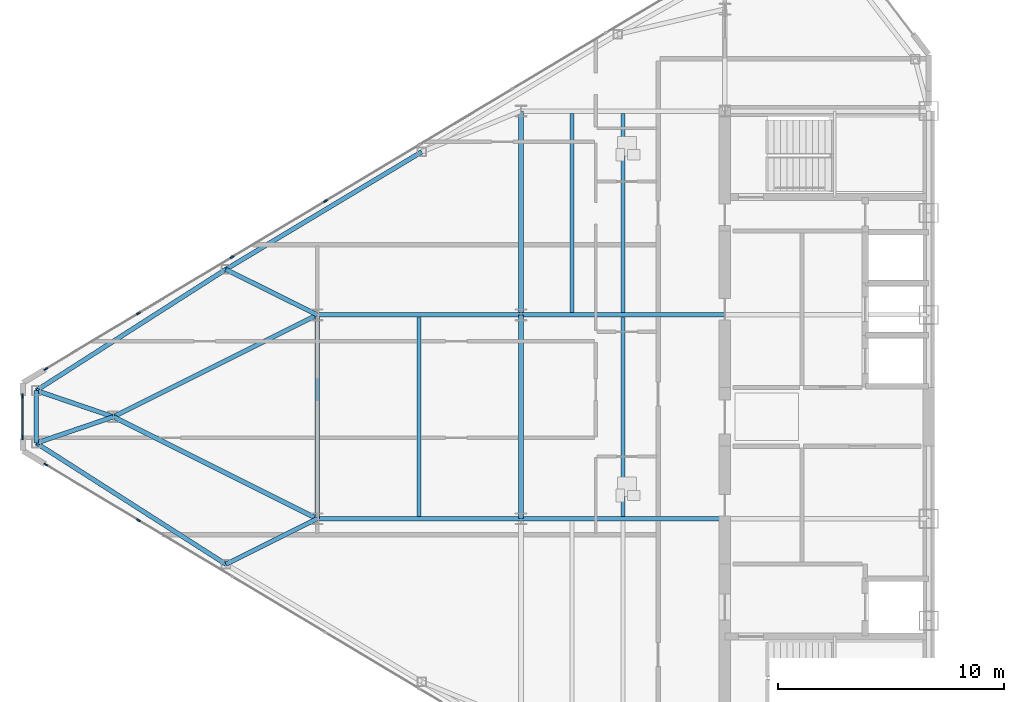
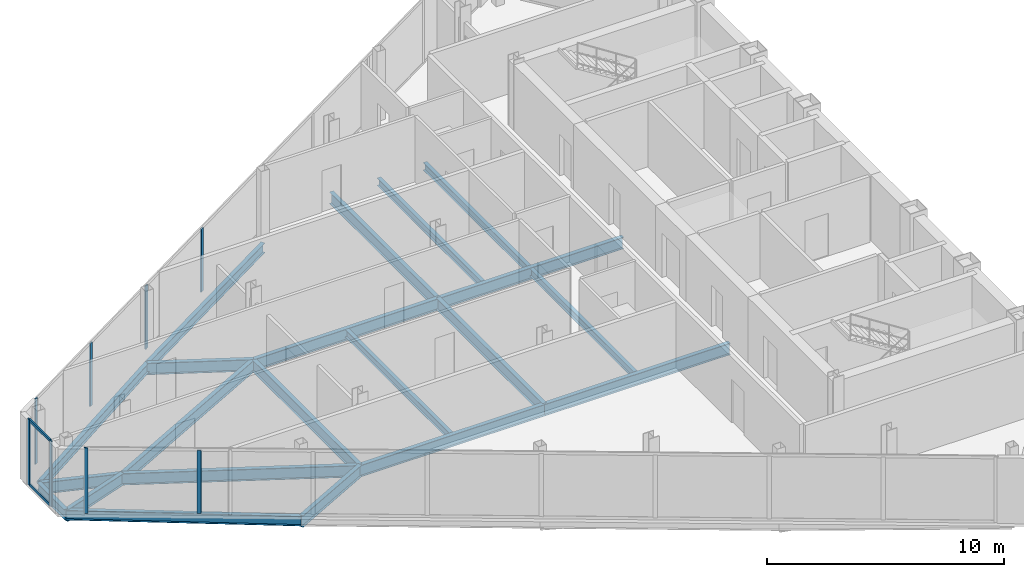
# One storey, part 7 of 25: 21 beams, 10 members, 3 elements without a shape of their own.
"""IFC4 building model written with IfcOpenShell, lengths in metres."""

from ifc_helpers import new_model, si_unit, direction, frame, origin, origin_2d, place, context, subcontext, project, spatial, rectangle, i_section, extrude, source, transform, mapped, material, layer, layer_set, material_profile, profile_set, type_object, type_shapes, element, aggregate, save


model = new_model("IFC4")

# Units and contexts
model_context = context("Model", 3, precision=1e-05, world=origin(), true_north=direction((0.0, 1.0)))
body_context = subcontext(model_context, "Body", "Model", "MODEL_VIEW")
ifc_project = project(units=[si_unit("LENGTHUNIT", "METRE"), si_unit("AREAUNIT", "SQUARE_METRE"), si_unit("VOLUMEUNIT", "CUBIC_METRE"), si_unit("PLANEANGLEUNIT", "RADIAN"), si_unit("MASSUNIT", "GRAM", prefix="KILO")], contexts=[model_context])

# Site, building, storey
site_placement = place(None, origin())
site = spatial("IfcSite", under=ifc_project, at=site_placement, CompositionType="ELEMENT")
building_placement = place(site_placement, origin())
building = spatial("IfcBuilding", under=site, at=building_placement, Name="Seokmaru Belvedere", CompositionType="ELEMENT")
storey_placement = place(building_placement, frame((0.0, 0.0, 217.5)))
storey = spatial("IfcBuildingStorey", under=building, at=storey_placement, Name="L58", CompositionType="ELEMENT", Elevation=217.5)

# Beams
ifc_material_1 = material(Name="Steel SM355 (355 MPa)", Category="steel")
ifc_material_profile_1 = material_profile(ifc_material_1, i_section(OverallWidth=0.199951171875, OverallDepth=0.60009765625, WebThickness=0.010986328125, FlangeThickness=0.01708984375, at=origin_2d()), Name="H-600x200x11x17")
ifc_profile_set_1 = profile_set([ifc_material_profile_1], Name="Steel SM355 (355 MPa)")
beam_type_1 = type_object("IfcBeamType", Name="Primary Floor Girder H-600", PredefinedType="BEAM", material=ifc_profile_set_1)
shared_shape_1 = source(origin(), body_context, "Body", "SweptSolid", [
    extrude(i_section(OverallWidth=0.199951171875, OverallDepth=0.60009765625, WebThickness=0.010986328125, FlangeThickness=0.01708984375, at=origin_2d()), origin(), (0.0, 0.0, 1.0), 9.0),
])
for number, where, z_axis, x_axis, name in (
    (1, (-45.5, -4.5, -0.52001953125), (0.0, 1.0, 0.0), (-1.0, 0.0, 0.0), "L58 W Interior Grid Girder 2"),
    (2, (-45.5, 4.5, -0.52001953125), (0.0, 1.0, 0.0), (-1.0, 0.0, 0.0), "L58 W Interior Grid Girder 3"),
    (3, (-45.5, -4.5, -0.52001953125), (1.0, 0.0, 0.0), (0.0, 1.0, 0.0), "L58 W Wing Primary Girder 2"),
    (4, (-45.5, 4.5, -0.52001953125), (1.0, 0.0, 0.0), (0.0, 1.0, 0.0), "L58 W Wing Primary Girder 3"),
    (5, (-54.5, -4.5, -0.52001953125), (1.0, 0.0, 0.0), (0.0, 1.0, 0.0), "L58 W Outer Wing Girder 1"),
    (6, (-54.5, 4.5, -0.52001953125), (1.0, 0.0, 0.0), (0.0, 1.0, 0.0), "L58 W Outer Wing Girder 2"),
    (7, (-54.5, -4.5, -0.52001953125), (0.0, 1.0, 0.0), (-1.0, 0.0, 0.0), "L58 W Apex Frame Girder"),
):
    element("IfcBeam", number, at=place(storey_placement, frame(where, z_axis=z_axis, x_axis=x_axis)), inside=storey, type_object=beam_type_1, Name=name, PredefinedType="BEAM", context=body_context, shape_type="MappedRepresentation", body=[
        mapped(shared_shape_1, transform((0.0, 0.0, 0.0), scale=1.0)),
    ])
shared_shape_2 = source(origin(), body_context, "Body", "SweptSolid", [
    extrude(i_section(OverallWidth=0.199951171875, OverallDepth=0.60009765625, WebThickness=0.010986328125, FlangeThickness=0.01708984375, at=origin_2d()), origin(), (0.0, 0.0, 1.0), 10.062255859375),
])
for number, where, z_axis, x_axis, name in (
    (8, (-54.5, -4.5, -0.52001953125), (-0.894427191, 0.4472135955, 0.0), (-0.4472135955, -0.894427191, 0.0), "L58 W Apex Converging Girder 1"),
    (9, (-54.5, 4.5, -0.52001953125), (-0.894427191, -0.4472135955, 0.0), (0.4472135955, -0.894427191, 0.0), "L58 W Apex Converging Girder 2"),
):
    element("IfcBeam", number, at=place(storey_placement, frame(where, z_axis=z_axis, x_axis=x_axis)), inside=storey, type_object=beam_type_1, Name=name, PredefinedType="BEAM", context=body_context, shape_type="MappedRepresentation", body=[
        mapped(shared_shape_2, transform((0.0, 0.0, 0.0), scale=1.0)),
    ])
ifc_material_profile_2 = material_profile(ifc_material_1, i_section(OverallWidth=0.18505859375, OverallDepth=0.389892578125, WebThickness=0.008056640625, FlangeThickness=0.011962890625, at=origin_2d()), Name="H-390x185x8x12")
ifc_profile_set_2 = profile_set([ifc_material_profile_2], Name="Steel SM355 (355 MPa)")
beam_type_2 = type_object("IfcBeamType", Name="Secondary Floor Joist H-350", PredefinedType="JOIST", material=ifc_profile_set_2)
shared_shape_3 = source(origin(), body_context, "Body", "SweptSolid", [
    extrude(i_section(OverallWidth=0.18505859375, OverallDepth=0.389892578125, WebThickness=0.008056640625, FlangeThickness=0.011962890625, at=origin_2d()), origin(), (0.0, 0.0, 1.0), 8.7900390625),
])
type_shapes(beam_type_2, [shared_shape_3])
for number, where, z_axis, x_axis, name in (
    (10, (-43.25, 4.60498046875, -0.4150390625), (0.0, 1.0, 0.0), (-1.0, 0.0, 0.0), "L58 W Wing Inner Secondary Joist 2"),
    (11, (-41.0, -4.39501953125, -0.4150390625), (0.0, 1.0, 0.0), (-1.0, 0.0, 0.0), "L58 W Secondary Floor Joist 2"),
    (12, (-41.0, 4.60498046875, -0.4150390625), (0.0, 1.0, 0.0), (-1.0, 0.0, 0.0), "L58 W Secondary Floor Joist 3"),
    (13, (-50.0, -4.39501953125, -0.4150390625), (0.0, 1.0, 0.0), (-1.0, 0.0, 0.0), "L58 W Outer Bay Secondary Joist"),
):
    element("IfcBeam", number, at=place(storey_placement, frame(where, z_axis=z_axis, x_axis=x_axis)), inside=storey, type_object=beam_type_2, Name=name, PredefinedType="JOIST", context=body_context, shape_type="MappedRepresentation", body=[
        mapped(shared_shape_3, transform((0.0, 0.0, 0.0), scale=1.0)),
    ])
ifc_material_profile_3 = material_profile(ifc_material_1, i_section(OverallWidth=0.199951171875, OverallDepth=0.5, WebThickness=0.010009765625, FlangeThickness=0.01611328125, at=origin_2d()), Name="H-500x200x10x16")
ifc_profile_set_3 = profile_set([ifc_material_profile_3], Name="Steel SM355 (355 MPa)")
beam_type_3 = type_object("IfcBeamType", Name="Perimeter Spandrel Beam H-500", PredefinedType="SPANDREL", material=ifc_profile_set_3)
shared_shape_4 = source(origin(), body_context, "Body", "SweptSolid", [
    extrude(i_section(OverallWidth=0.199951171875, OverallDepth=0.5, WebThickness=0.010009765625, FlangeThickness=0.01611328125, at=origin_2d()), origin(), (0.0, 0.0, 1.0), 10.087646484375),
])
beam_1_placement = place(storey_placement, frame((-49.8798828125, 11.698974609375, -0.469970703125), z_axis=(-0.857488654804, -0.514502873542, 0.0), x_axis=(0.514502873542, -0.857488654804, 0.0)))
element("IfcBeam", 14, at=beam_1_placement, inside=storey, type_object=beam_type_3, Name="L58 W Faceted Flank Spandrel N-3", PredefinedType="SPANDREL", context=body_context, shape_type="MappedRepresentation", body=[
    mapped(shared_shape_4, transform((0.0, 0.0, 0.0), scale=1.0)),
])
shared_shape_5 = source(origin(), body_context, "Body", "SweptSolid", [
    extrude(i_section(OverallWidth=0.199951171875, OverallDepth=0.5, WebThickness=0.010009765625, FlangeThickness=0.01611328125, at=origin_2d()), origin(), (0.0, 0.0, 1.0), 9.932861328125),
])
for number, where, z_axis, x_axis, name in (
    (15, (-58.530029296875, -6.5087890625, -0.469970703125), (-0.842651960357, 0.538458609093, 0.0), (-0.538458609093, -0.842651960357, 0.0), "L58 W Faceted Flank Spandrel S-4"),
    (16, (-58.530029296875, 6.5087890625, -0.469970703125), (-0.842651960357, -0.538458609093, 0.0), (0.538458609093, -0.842651960357, 0.0), "L58 W Faceted Flank Spandrel N-4"),
):
    element("IfcBeam", number, at=place(storey_placement, frame(where, z_axis=z_axis, x_axis=x_axis)), inside=storey, type_object=beam_type_3, Name=name, PredefinedType="SPANDREL", context=body_context, shape_type="MappedRepresentation", body=[
        mapped(shared_shape_5, transform((0.0, 0.0, 0.0), scale=1.0)),
    ])
shared_shape_6 = source(origin(), body_context, "Body", "SweptSolid", [
    extrude(i_section(OverallWidth=0.199951171875, OverallDepth=0.5, WebThickness=0.010009765625, FlangeThickness=0.01611328125, at=origin_2d()), origin(), (0.0, 0.0, 1.0), 2.32080078125),
])
type_shapes(beam_type_3, [shared_shape_4, shared_shape_5, shared_shape_6])
beam_2_placement = place(storey_placement, frame((-66.89990234375, -1.160400390625, -0.469970703125), z_axis=(0.0, 1.0, 0.0), x_axis=(-1.0, 0.0, 0.0)))
element("IfcBeam", 17, at=beam_2_placement, inside=storey, type_object=beam_type_3, Name="L58 W Faceted Apex Spandrel", PredefinedType="SPANDREL", context=body_context, shape_type="MappedRepresentation", body=[
    mapped(shared_shape_6, transform((0.0, 0.0, 0.0), scale=1.0)),
])
shared_shape_7 = source(origin(), body_context, "Body", "SweptSolid", [
    extrude(i_section(OverallWidth=0.199951171875, OverallDepth=0.60009765625, WebThickness=0.010986328125, FlangeThickness=0.01708984375, at=origin_2d()), origin(), (0.0, 0.0, 1.0), 4.5029296875),
])
for number, where, z_axis, x_axis, name in (
    (18, (-58.530029296875, -6.5087890625, -0.52001953125), (0.894979532585, 0.446107202648, 0.0), (-0.446107202648, 0.894979532585, 0.0), "L58 W Flank Radial Floor Girder S-3"),
    (19, (-58.530029296875, 6.5087890625, -0.52001953125), (0.894979532585, -0.446107202648, 0.0), (0.446107202648, 0.894979532585, 0.0), "L58 W Flank Radial Floor Girder N-3"),
):
    element("IfcBeam", number, at=place(storey_placement, frame(where, z_axis=z_axis, x_axis=x_axis)), inside=storey, type_object=beam_type_1, Name=name, PredefinedType="BEAM", context=body_context, shape_type="MappedRepresentation", body=[
        mapped(shared_shape_7, transform((0.0, 0.0, 0.0), scale=1.0)),
    ])
shared_shape_8 = source(origin(), body_context, "Body", "SweptSolid", [
    extrude(i_section(OverallWidth=0.199951171875, OverallDepth=0.60009765625, WebThickness=0.010986328125, FlangeThickness=0.01708984375, at=origin_2d()), origin(), (0.0, 0.0, 1.0), 3.592529296875),
])
type_shapes(beam_type_1, [shared_shape_1, shared_shape_2, shared_shape_7, shared_shape_8])
for number, where, z_axis, x_axis, name in (
    (20, (-66.89990234375, -1.160400390625, -0.52001953125), (0.946395973048, 0.323008764893, 0.0), (-0.323008764893, 0.946395973048, 0.0), "L58 W Apex Radial Floor Girder 1"),
    (21, (-66.89990234375, 1.160400390625, -0.52001953125), (0.946395973048, -0.323008764893, 0.0), (0.323008764893, 0.946395973048, 0.0), "L58 W Apex Radial Floor Girder 2"),
):
    element("IfcBeam", number, at=place(storey_placement, frame(where, z_axis=z_axis, x_axis=x_axis)), inside=storey, type_object=beam_type_1, Name=name, PredefinedType="BEAM", context=body_context, shape_type="MappedRepresentation", body=[
        mapped(shared_shape_8, transform((0.0, 0.0, 0.0), scale=1.0)),
    ])

# Curtain wall, member
ifc_material_2 = material(Name="Bronze Triple Insulating Glass", Category="glass")
ifc_layer = layer(ifc_material_2, 0.179931640625)
ifc_layer_set = layer_set([ifc_layer], Name="Bronze Triple Insulating Glass")
curtain_wall_type = type_object("IfcCurtainWallType", Name="High-Rise Wind-Corner Curtain Wall System CW-5", PredefinedType="NOTDEFINED", material=ifc_layer_set)
curtain_wall_1_placement = place(storey_placement, origin())
curtain_wall_1 = element("IfcCurtainWall", 22, at=curtain_wall_1_placement, inside=storey, type_object=curtain_wall_type, Name="L58 Curtain Wall WF3", PredefinedType="NOTDEFINED")
ifc_material_3 = material(Name="Anodised Bronze Aluminium", Category="aluminium")
ifc_material_profile_4 = material_profile(ifc_material_3, rectangle(XDim=0.06494140625, YDim=0.179931640625, at=origin_2d()), Name="CW-M-65x180")
ifc_profile_set_4 = profile_set([ifc_material_profile_4], Name="Anodised Bronze Aluminium")
member_type_1 = type_object("IfcMemberType", Name="Bronze Unitised Mullion 65x180", PredefinedType="MULLION", material=ifc_profile_set_4)
shared_shape_9 = source(origin(), body_context, "Body", "SweptSolid", [
    extrude(rectangle(XDim=0.06494140625, YDim=0.179931640625, at=origin_2d()), origin(), (0.0, 0.0, 1.0), 3.3798828125),
])
member_1_placement = place(storey_placement, frame((-66.486083984375, 2.1083984375, 0.0), z_axis=(0.0, 0.0, 1.0), x_axis=(0.514494909364, -0.85749343335, 0.0)))
member_1 = element("IfcMember", 23, at=member_1_placement, type_object=member_type_1, Name="CW:L58:WF3 Mullion 9", PredefinedType="MULLION", context=body_context, shape_type="MappedRepresentation", body=[
    mapped(shared_shape_9, transform((0.0, 0.0, 0.0), scale=1.0)),
])

# Curtain wall, members
curtain_wall_2_placement = place(storey_placement, origin())
curtain_wall_2 = element("IfcCurtainWall", 24, at=curtain_wall_2_placement, inside=storey, type_object=curtain_wall_type, Name="L58 Curtain Wall WF4", PredefinedType="NOTDEFINED")
member_2_placement = place(storey_placement, frame((-67.5, 0.91748046875, 0.0), z_axis=(0.0, 0.0, 1.0), x_axis=(1.0, 0.0, 0.0)))
member_2 = element("IfcMember", 25, at=member_2_placement, type_object=member_type_1, Name="CW:L58:WF4 Mullion 1", PredefinedType="MULLION", context=body_context, shape_type="MappedRepresentation", body=[
    mapped(shared_shape_9, transform((0.0, 0.0, 0.0), scale=1.0)),
])
member_3_placement = place(storey_placement, frame((-67.5, -0.91748046875, 0.0), z_axis=(0.0, 0.0, 1.0), x_axis=(1.0, 0.0, 0.0)))
member_3 = element("IfcMember", 26, at=member_3_placement, type_object=member_type_1, Name="CW:L58:WF4 Mullion 2", PredefinedType="MULLION", context=body_context, shape_type="MappedRepresentation", body=[
    mapped(shared_shape_9, transform((0.0, 0.0, 0.0), scale=1.0)),
])

# Curtain wall, member
curtain_wall_3_placement = place(storey_placement, origin())
curtain_wall_3 = element("IfcCurtainWall", 27, at=curtain_wall_3_placement, inside=storey, type_object=curtain_wall_type, Name="L58 Curtain Wall WF5", PredefinedType="NOTDEFINED")
member_4_placement = place(storey_placement, frame((-66.486083984375, -2.1083984375, 0.0), z_axis=(0.0, 0.0, 1.0), x_axis=(0.514494909364, 0.85749343335, 0.0)))
member_4 = element("IfcMember", 28, at=member_4_placement, type_object=member_type_1, Name="CW:L58:WF5 Mullion 1", PredefinedType="MULLION", context=body_context, shape_type="MappedRepresentation", body=[
    mapped(shared_shape_9, transform((0.0, 0.0, 0.0), scale=1.0)),
])

# Member
shared_shape_10 = source(origin(), body_context, "Body", "SweptSolid", [
    extrude(rectangle(XDim=0.06494140625, YDim=0.179931640625, at=origin_2d()), origin(), (0.0, 0.0, 1.0), 3.25),
])
type_shapes(member_type_1, [shared_shape_9, shared_shape_10])
member_5_placement = place(storey_placement, frame((-54.12841796875, 9.52294921875, 0.06494140625), z_axis=(0.0, 0.0, 1.0), x_axis=(0.514494909364, -0.85749343335, 0.0)))
member_5 = element("IfcMember", 29, at=member_5_placement, type_object=member_type_1, Name="CW:L58:WF3 Mullion 6", PredefinedType="MULLION", context=body_context, shape_type="MappedRepresentation", body=[
    mapped(shared_shape_10, transform((0.0, 0.0, 0.0), scale=1.0)),
])

member_6_placement = place(storey_placement, frame((-58.257080078125, 7.0458984375, 0.06494140625), z_axis=(0.0, 0.0, 1.0), x_axis=(0.514494909364, -0.85749343335, 0.0)))
member_6 = element("IfcMember", 30, at=member_6_placement, type_object=member_type_1, Name="CW:L58:WF3 Mullion 7", PredefinedType="MULLION", context=body_context, shape_type="MappedRepresentation", body=[
    mapped(shared_shape_10, transform((0.0, 0.0, 0.0), scale=1.0)),
])

member_7_placement = place(storey_placement, frame((-62.385498046875, 4.56884765625, 0.06494140625), z_axis=(0.0, 0.0, 1.0), x_axis=(0.514494909364, -0.85749343335, 0.0)))
member_7 = element("IfcMember", 31, at=member_7_placement, type_object=member_type_1, Name="CW:L58:WF3 Mullion 8", PredefinedType="MULLION", context=body_context, shape_type="MappedRepresentation", body=[
    mapped(shared_shape_10, transform((0.0, 0.0, 0.0), scale=1.0)),
])

aggregate(curtain_wall_1, [member_5, member_6, member_7, member_1])

member_8_placement = place(storey_placement, frame((-62.385498046875, -4.56884765625, 0.06494140625), z_axis=(0.0, 0.0, 1.0), x_axis=(0.514494909364, 0.85749343335, 0.0)))
member_8 = element("IfcMember", 32, at=member_8_placement, type_object=member_type_1, Name="CW:L58:WF5 Mullion 2", PredefinedType="MULLION", context=body_context, shape_type="MappedRepresentation", body=[
    mapped(shared_shape_10, transform((0.0, 0.0, 0.0), scale=1.0)),
])

aggregate(curtain_wall_3, [member_4, member_8])

ifc_material_profile_5 = material_profile(ifc_material_3, rectangle(XDim=0.06494140625, YDim=0.14990234375, at=origin_2d()), Name="CW-T-65x150")
ifc_profile_set_5 = profile_set([ifc_material_profile_5], Name="Anodised Bronze Aluminium")
member_type_2 = type_object("IfcMemberType", Name="Bronze Unitised Transom 65x150", PredefinedType="USERDEFINED", material=ifc_profile_set_5)
shared_shape_11 = source(origin(), body_context, "Body", "SweptSolid", [
    extrude(rectangle(XDim=0.06494140625, YDim=0.14990234375, at=origin_2d()), origin(), (0.0, 0.0, 1.0), 1.77001953125),
])
type_shapes(member_type_2, [shared_shape_11])
member_9_placement = place(storey_placement, frame((-67.5, 0.885009765625, 0.032470703125), z_axis=(0.0, -1.0, 0.0), x_axis=(1.0, 0.0, 0.0)))
member_9 = element("IfcMember", 33, at=member_9_placement, type_object=member_type_2, Name="CW:L58:WF4 Continuous Transom 1", ObjectType="TRANSOM", PredefinedType="USERDEFINED", context=body_context, shape_type="MappedRepresentation", body=[
    mapped(shared_shape_11, transform((0.0, 0.0, 0.0), scale=1.0)),
])

member_10_placement = place(storey_placement, frame((-67.5, 0.885009765625, 3.347412109375), z_axis=(0.0, -1.0, 0.0), x_axis=(1.0, 0.0, 0.0)))
member_10 = element("IfcMember", 34, at=member_10_placement, type_object=member_type_2, Name="CW:L58:WF4 Continuous Transom 2", ObjectType="TRANSOM", PredefinedType="USERDEFINED", context=body_context, shape_type="MappedRepresentation", body=[
    mapped(shared_shape_11, transform((0.0, 0.0, 0.0), scale=1.0)),
])

aggregate(curtain_wall_2, [member_2, member_3, member_9, member_10])

save(model, "model.ifc")
